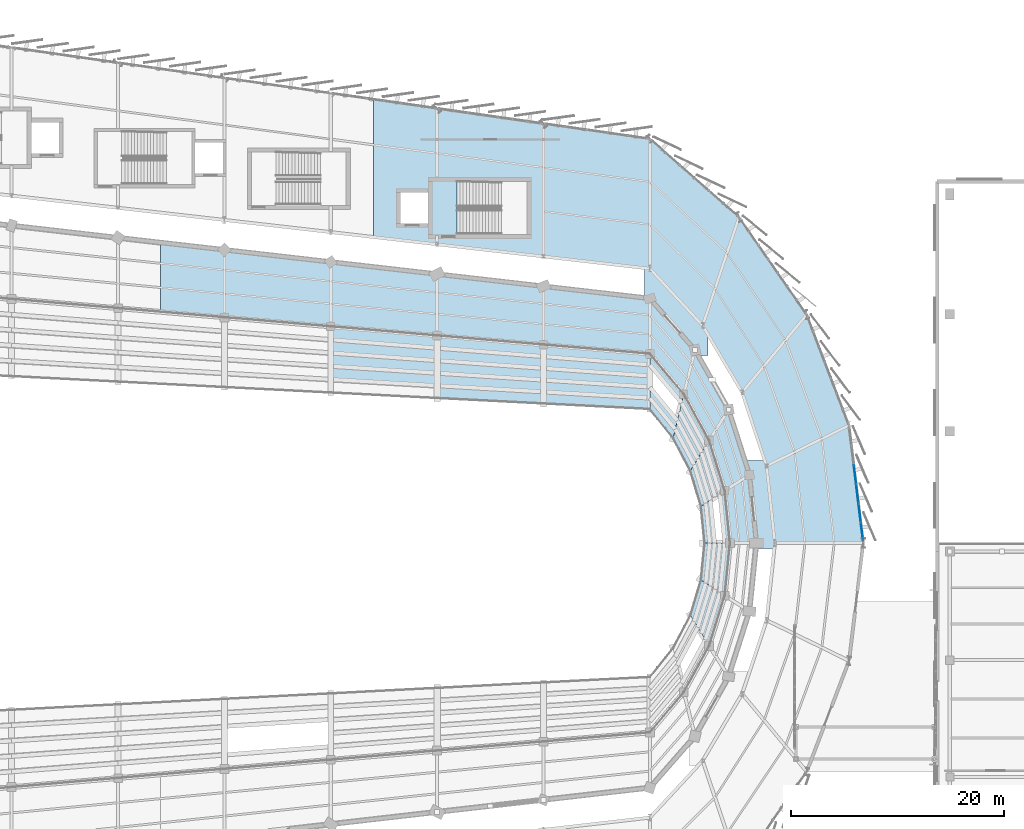
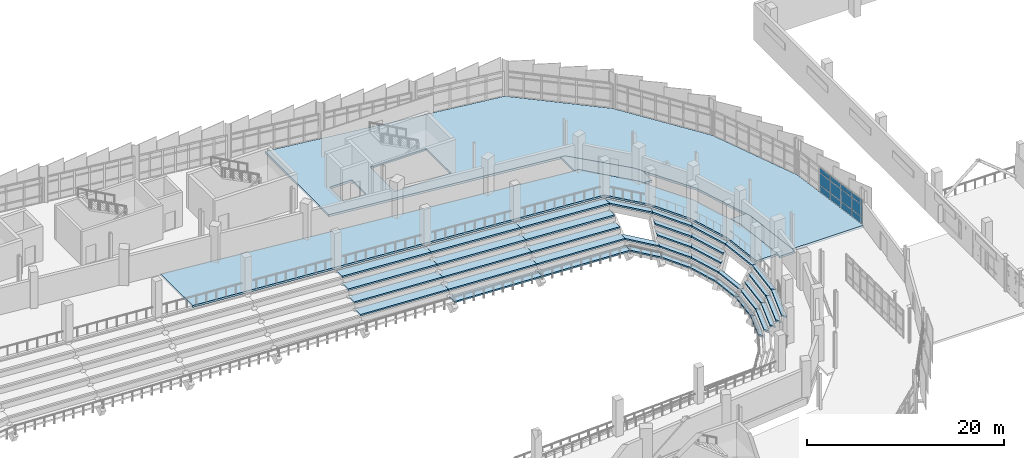
# One storey, part 100 of 134: 44 slabs, 12 plates, 1 element without a shape of its own.
"""IFC4 building model written with IfcOpenShell, lengths in metres."""

from ifc_helpers import new_model, si_unit, direction, frame, origin, origin_2d, place, context, subcontext, project, spatial, polyline, rectangle, outline, extrude, material, layer, layer_set, type_object, element, aggregate, save


model = new_model("IFC4")

# Units and contexts
model_context = context("Model", 3, precision=1e-05, world=origin(), true_north=direction((0.0, 1.0)))
body_context = subcontext(model_context, "Body", "Model", "MODEL_VIEW")
ifc_project = project(units=[si_unit("LENGTHUNIT", "METRE"), si_unit("AREAUNIT", "SQUARE_METRE"), si_unit("VOLUMEUNIT", "CUBIC_METRE"), si_unit("PLANEANGLEUNIT", "RADIAN"), si_unit("MASSUNIT", "GRAM", prefix="KILO")], contexts=[model_context])

# Site, building, storey
site_placement = place(None, origin())
site = spatial("IfcSite", under=ifc_project, at=site_placement, CompositionType="ELEMENT")
building_placement = place(site_placement, origin())
building = spatial("IfcBuilding", under=site, at=building_placement, Name="Sohan Crest Arena", CompositionType="ELEMENT")
storey_placement = place(building_placement, frame((0.0, 0.0, 4.5)))
storey = spatial("IfcBuildingStorey", under=building, at=storey_placement, Name="L01", CompositionType="ELEMENT", Elevation=4.5)

# Curtain wall, plates
ifc_material_1 = material(Name="Thermally broken anodised aluminium", Category="aluminium")
ifc_layer_1 = layer(ifc_material_1, 0.2099609375, Name="Thermally broken anodised aluminium")
ifc_layer_set_1 = layer_set([ifc_layer_1], Name="Thermally broken anodised aluminium")
curtain_wall_type = type_object("IfcCurtainWallType", Name="ARC-CW06", PredefinedType="NOTDEFINED", material=ifc_layer_set_1)
curtain_wall_placement = place(storey_placement, origin())
curtain_wall = element("IfcCurtainWall", 1, at=curtain_wall_placement, inside=storey, type_object=curtain_wall_type, Name="Unitised curtain wall CW-039", PredefinedType="NOTDEFINED")
ifc_material_2 = material(Name="Insulated polychrome ceramic spandrel panel", Category="masonry")
ifc_layer_2 = layer(ifc_material_2, 0.0419921875, Name="Insulated polychrome ceramic spandrel panel")
ifc_layer_set_2 = layer_set([ifc_layer_2], Name="Insulated polychrome ceramic spandrel panel")
plate_type = type_object("IfcPlateType", Name="ARC-CNP04", PredefinedType="CURTAIN_PANEL", material=ifc_layer_set_2)
plate_1_placement = place(storey_placement, frame((187.94873046875, 79.048583984375, 0.070068359375), z_axis=(0.0, 0.0, 1.0), x_axis=(-0.121186758784, 0.992629724266, 0.0)))
plate_1 = element("IfcPlate", 2, at=plate_1_placement, type_object=plate_type, Name="CW-039 panel 1.1", PredefinedType="CURTAIN_PANEL", context=body_context, shape_type="SweptSolid", body=[
    extrude(rectangle(XDim=1.702880859375, YDim=0.0419921875, at=origin_2d()), origin(), (0.0, 0.0, 1.0), 0.794921875),
])
plate_2_placement = place(storey_placement, frame((187.94873046875, 79.048583984375, 0.93505859375), z_axis=(0.0, 0.0, 1.0), x_axis=(-0.121186758784, 0.992629724266, 0.0)))
plate_2 = element("IfcPlate", 3, at=plate_2_placement, type_object=plate_type, Name="CW-039 panel 1.2", PredefinedType="CURTAIN_PANEL", context=body_context, shape_type="SweptSolid", body=[
    extrude(rectangle(XDim=1.702880859375, YDim=0.0419921875, at=origin_2d()), origin(), (0.0, 0.0, 1.0), 1.449951171875),
])
plate_3_placement = place(storey_placement, frame((187.94873046875, 79.048583984375, 2.455078125), z_axis=(0.0, 0.0, 1.0), x_axis=(-0.121186758784, 0.992629724266, 0.0)))
plate_3 = element("IfcPlate", 4, at=plate_3_placement, type_object=plate_type, Name="CW-039 panel 1.3", PredefinedType="CURTAIN_PANEL", context=body_context, shape_type="SweptSolid", body=[
    extrude(rectangle(XDim=1.702880859375, YDim=0.0419921875, at=origin_2d()), origin(), (0.0, 0.0, 1.0), 0.594970703125),
])
plate_4_placement = place(storey_placement, frame((187.73095703125, 80.83203125, 0.070068359375), z_axis=(0.0, 0.0, 1.0), x_axis=(-0.121186758784, 0.992629724266, 0.0)))
plate_4 = element("IfcPlate", 5, at=plate_4_placement, type_object=plate_type, Name="CW-039 panel 2.1", PredefinedType="CURTAIN_PANEL", context=body_context, shape_type="SweptSolid", body=[
    extrude(rectangle(XDim=1.740478515625, YDim=0.0419921875, at=origin_2d()), origin(), (0.0, 0.0, 1.0), 0.794921875),
])
plate_5_placement = place(storey_placement, frame((187.73095703125, 80.83203125, 0.93505859375), z_axis=(0.0, 0.0, 1.0), x_axis=(-0.121186758784, 0.992629724266, 0.0)))
plate_5 = element("IfcPlate", 6, at=plate_5_placement, type_object=plate_type, Name="CW-039 panel 2.2", PredefinedType="CURTAIN_PANEL", context=body_context, shape_type="SweptSolid", body=[
    extrude(rectangle(XDim=1.740478515625, YDim=0.0419921875, at=origin_2d()), origin(), (0.0, 0.0, 1.0), 1.449951171875),
])
plate_6_placement = place(storey_placement, frame((187.73095703125, 80.83203125, 2.455078125), z_axis=(0.0, 0.0, 1.0), x_axis=(-0.121186758784, 0.992629724266, 0.0)))
plate_6 = element("IfcPlate", 7, at=plate_6_placement, type_object=plate_type, Name="CW-039 panel 2.3", PredefinedType="CURTAIN_PANEL", context=body_context, shape_type="SweptSolid", body=[
    extrude(rectangle(XDim=1.740478515625, YDim=0.0419921875, at=origin_2d()), origin(), (0.0, 0.0, 1.0), 0.594970703125),
])
plate_7_placement = place(storey_placement, frame((187.510986328125, 82.634033203125, 0.070068359375), z_axis=(0.0, 0.0, 1.0), x_axis=(-0.121186758784, 0.992629724266, 0.0)))
plate_7 = element("IfcPlate", 8, at=plate_7_placement, type_object=plate_type, Name="CW-039 panel 3.1", PredefinedType="CURTAIN_PANEL", context=body_context, shape_type="SweptSolid", body=[
    extrude(rectangle(XDim=1.740478515625, YDim=0.0419921875, at=origin_2d()), origin(), (0.0, 0.0, 1.0), 0.794921875),
])
plate_8_placement = place(storey_placement, frame((187.510986328125, 82.634033203125, 0.93505859375), z_axis=(0.0, 0.0, 1.0), x_axis=(-0.121186758784, 0.992629724266, 0.0)))
plate_8 = element("IfcPlate", 9, at=plate_8_placement, type_object=plate_type, Name="CW-039 panel 3.2", PredefinedType="CURTAIN_PANEL", context=body_context, shape_type="SweptSolid", body=[
    extrude(rectangle(XDim=1.740478515625, YDim=0.0419921875, at=origin_2d()), origin(), (0.0, 0.0, 1.0), 1.449951171875),
])
plate_9_placement = place(storey_placement, frame((187.510986328125, 82.634033203125, 2.455078125), z_axis=(0.0, 0.0, 1.0), x_axis=(-0.121186758784, 0.992629724266, 0.0)))
plate_9 = element("IfcPlate", 10, at=plate_9_placement, type_object=plate_type, Name="CW-039 panel 3.3", PredefinedType="CURTAIN_PANEL", context=body_context, shape_type="SweptSolid", body=[
    extrude(rectangle(XDim=1.740478515625, YDim=0.0419921875, at=origin_2d()), origin(), (0.0, 0.0, 1.0), 0.594970703125),
])
plate_10_placement = place(storey_placement, frame((187.291015625, 84.43603515625, 0.070068359375), z_axis=(0.0, 0.0, 1.0), x_axis=(-0.121186758784, 0.992629724266, 0.0)))
plate_10 = element("IfcPlate", 11, at=plate_10_placement, type_object=plate_type, Name="CW-039 panel 4.1", PredefinedType="CURTAIN_PANEL", context=body_context, shape_type="SweptSolid", body=[
    extrude(rectangle(XDim=1.740478515625, YDim=0.0419921875, at=origin_2d()), origin(), (0.0, 0.0, 1.0), 0.794921875),
])
plate_11_placement = place(storey_placement, frame((187.291015625, 84.43603515625, 0.93505859375), z_axis=(0.0, 0.0, 1.0), x_axis=(-0.121186758784, 0.992629724266, 0.0)))
plate_11 = element("IfcPlate", 12, at=plate_11_placement, type_object=plate_type, Name="CW-039 panel 4.2", PredefinedType="CURTAIN_PANEL", context=body_context, shape_type="SweptSolid", body=[
    extrude(rectangle(XDim=1.740478515625, YDim=0.0419921875, at=origin_2d()), origin(), (0.0, 0.0, 1.0), 1.449951171875),
])
plate_12_placement = place(storey_placement, frame((187.291015625, 84.43603515625, 2.455078125), z_axis=(0.0, 0.0, 1.0), x_axis=(-0.121186758784, 0.992629724266, 0.0)))
plate_12 = element("IfcPlate", 13, at=plate_12_placement, type_object=plate_type, Name="CW-039 panel 4.3", PredefinedType="CURTAIN_PANEL", context=body_context, shape_type="SweptSolid", body=[
    extrude(rectangle(XDim=1.740478515625, YDim=0.0419921875, at=origin_2d()), origin(), (0.0, 0.0, 1.0), 0.594970703125),
])
aggregate(curtain_wall, [plate_1, plate_2, plate_3, plate_4, plate_5, plate_6, plate_7, plate_8, plate_9, plate_10, plate_11, plate_12])

# Slabs
ifc_material_3 = material(Name="Concrete C40/50", Category="concrete")
ifc_layer_3 = layer(ifc_material_3, 0.25, Name="Concrete C40/50")
ifc_layer_set_3 = layer_set([ifc_layer_3], Name="Concrete C40/50")
slab_type_1 = type_object("IfcSlabType", Name="SL-FLR3", PredefinedType="FLOOR", material=ifc_layer_set_3)
slab_1_placement = place(storey_placement, frame((0.0, 0.0, -0.25)))
element("IfcSlab", 14, at=slab_1_placement, inside=storey, type_object=slab_type_1, Name="Bowl vomitory ring L01 Q2 SL-L01-V1Q2", PredefinedType="FLOOR", context=body_context, shape_type="SweptSolid", body=[
    extrude(outline(polyline([(122.0, 106.257080078125), (168.0, 101.0), (172.242919921875, 96.154052734375), (175.408935546875, 90.544921875), (177.363037109375, 84.406982421875), (178.02294921875, 78.0), (175.531982421875, 78.0), (175.037109375, 82.929931640625), (173.571044921875, 87.6640625), (171.194091796875, 92.011962890625), (168.0, 95.800048828125), (122.0, 99.742919921875), (122.0, 106.257080078125)])), origin(), (0.0, 0.0, 1.0), 0.25),
])
slab_2_placement = place(storey_placement, frame((0.0, 0.0, -0.25)))
element("IfcSlab", 15, at=slab_2_placement, inside=storey, type_object=slab_type_1, Name="Seismic joint threshold slab L01 SL-TH-L01-23", PredefinedType="FLOOR", context=body_context, shape_type="SweptSolid", body=[
    extrude(outline(polyline([(178.971923828125, 85.251953125), (179.75, 78.0), (179.696044921875, 77.5), (177.970947265625, 77.5), (178.02294921875, 78.0), (177.363037109375, 84.406982421875), (176.93505859375, 85.751953125), (178.805908203125, 85.751953125), (178.971923828125, 85.251953125)])), origin(), (0.0, 0.0, 1.0), 0.25),
])
slab_3_placement = place(storey_placement, frame((0.0, 0.0, -0.25)))
element("IfcSlab", 16, at=slab_3_placement, inside=storey, type_object=slab_type_1, Name="Seismic joint threshold slab L01 SL-TH-L01-26", PredefinedType="FLOOR", context=body_context, shape_type="SweptSolid", body=[
    extrude(outline(polyline([(168.0, 103.800048828125), (172.9609375, 98.452880859375), (173.4609375, 97.60791015625), (173.4609375, 95.654052734375), (172.52490234375, 95.654052734375), (172.242919921875, 96.154052734375), (168.0, 101.0), (167.5, 101.056884765625), (167.5, 103.85693359375), (168.0, 103.800048828125)])), origin(), (0.0, 0.0, 1.0), 0.25),
])
ifc_layer_4 = layer(ifc_material_3, 0.27490234375, Name="Concrete C40/50")
ifc_layer_set_4 = layer_set([ifc_layer_4], Name="Concrete C40/50")
slab_type_2 = type_object("IfcSlabType", Name="SL-FLR4", PredefinedType="FLOOR", material=ifc_layer_set_4)
slab_4_placement = place(storey_placement, frame((0.0, 0.0, -0.27490234375)))
element("IfcSlab", 17, at=slab_4_placement, inside=storey, type_object=slab_type_2, Name="Concourse ring L01 sector 5 SL-L01-V2S5", PredefinedType="FLOOR", context=body_context, shape_type="SweptSolid", body=[
    extrude(outline(polyline([(142.0, 119.714111328125), (168.0, 116.0), (176.383056640625, 108.64501953125), (182.7490234375, 99.489013671875), (186.72509765625, 89.070068359375), (188.076904296875, 78.0), (179.75, 78.0), (178.971923828125, 85.251953125), (176.674072265625, 92.175048828125), (172.9609375, 98.452880859375), (168.0, 103.800048828125), (142.0, 106.77197265625), (142.0, 119.714111328125)]), holes=[polyline([(149.8701171875, 107.0), (156.449951171875, 107.0), (156.449951171875, 112.0), (149.8701171875, 112.0), (149.8701171875, 107.0)]), polyline([(144.550048828125, 110.949951171875), (144.550048828125, 108.050048828125), (147.14990234375, 108.050048828125), (147.14990234375, 110.949951171875), (144.550048828125, 110.949951171875)])]), origin(), (0.0, 0.0, 1.0), 0.27490234375),
])
ifc_material_4 = material(Name="Precast concrete C50/60", Category="concrete")
ifc_layer_5 = layer(ifc_material_4, 0.179931640625, Name="Precast concrete C50/60")
ifc_layer_set_5 = layer_set([ifc_layer_5], Name="Precast concrete C50/60")
slab_type_3 = type_object("IfcSlabType", Name="SL-TIER1", PredefinedType="USERDEFINED", material=ifc_layer_set_5)
slab_5_placement = place(storey_placement, frame((0.0, 0.0, -3.865966796875)))
element("IfcSlab", 18, at=slab_5_placement, inside=storey, type_object=slab_type_3, Name="Lower bowl precast seating tier ST-LOW-169", ObjectType="SEATING TIER", PredefinedType="USERDEFINED", context=body_context, shape_type="SweptSolid", body=[
    extrude(outline(polyline([(171.80908203125, 71.195068359375), (172.80810546875, 74.532958984375), (173.236083984375, 74.251953125), (172.14697265625, 70.64599609375), (171.80908203125, 71.195068359375)])), origin(), (0.0, 0.0, 1.0), 0.179931640625),
])
slab_6_placement = place(storey_placement, frame((0.0, 0.0, -3.0458984375)))
element("IfcSlab", 19, at=slab_6_placement, inside=storey, type_object=slab_type_3, Name="Lower bowl precast seating tier ST-LOW-170", ObjectType="SEATING TIER", PredefinedType="USERDEFINED", context=body_context, shape_type="SweptSolid", body=[
    extrude(outline(polyline([(172.160888671875, 70.623046875), (173.25390625, 74.239990234375), (173.681884765625, 73.9599609375), (172.5, 70.073974609375), (172.160888671875, 70.623046875)])), origin(), (0.0, 0.0, 1.0), 0.179931640625),
])
slab_7_placement = place(storey_placement, frame((0.0, 0.0, -2.22607421875)))
element("IfcSlab", 20, at=slab_7_placement, inside=storey, type_object=slab_type_3, Name="Lower bowl precast seating tier ST-LOW-171", ObjectType="SEATING TIER", PredefinedType="USERDEFINED", context=body_context, shape_type="SweptSolid", body=[
    extrude(outline(polyline([(172.513916015625, 70.051025390625), (173.699951171875, 73.947998046875), (174.1279296875, 73.6669921875), (172.85205078125, 69.501953125), (172.513916015625, 70.051025390625)])), origin(), (0.0, 0.0, 1.0), 0.18017578125),
])
slab_8_placement = place(storey_placement, frame((0.0, 0.0, -3.865966796875)))
element("IfcSlab", 21, at=slab_8_placement, inside=storey, type_object=slab_type_3, Name="Lower bowl precast seating tier ST-LOW-174", ObjectType="SEATING TIER", PredefinedType="USERDEFINED", context=body_context, shape_type="SweptSolid", body=[
    extrude(outline(polyline([(172.80810546875, 74.532958984375), (173.14501953125, 78.0), (173.60302734375, 78.0), (173.236083984375, 74.251953125), (172.80810546875, 74.532958984375)])), origin(), (0.0, 0.0, 1.0), 0.179931640625),
])
slab_9_placement = place(storey_placement, frame((0.0, 0.0, -3.0458984375)))
element("IfcSlab", 22, at=slab_9_placement, inside=storey, type_object=slab_type_3, Name="Lower bowl precast seating tier ST-LOW-175", ObjectType="SEATING TIER", PredefinedType="USERDEFINED", context=body_context, shape_type="SweptSolid", body=[
    extrude(outline(polyline([(173.25390625, 74.239990234375), (173.6220703125, 78.0), (174.0810546875, 78.0), (173.681884765625, 73.9599609375), (173.25390625, 74.239990234375)])), origin(), (0.0, 0.0, 1.0), 0.179931640625),
])
slab_10_placement = place(storey_placement, frame((0.0, 0.0, -2.22607421875)))
element("IfcSlab", 23, at=slab_10_placement, inside=storey, type_object=slab_type_3, Name="Lower bowl precast seating tier ST-LOW-176", ObjectType="SEATING TIER", PredefinedType="USERDEFINED", context=body_context, shape_type="SweptSolid", body=[
    extrude(outline(polyline([(173.699951171875, 73.947998046875), (174.10009765625, 78.0), (174.55810546875, 78.0), (174.1279296875, 73.6669921875), (173.699951171875, 73.947998046875)])), origin(), (0.0, 0.0, 1.0), 0.18017578125),
])
slab_11_placement = place(storey_placement, frame((0.0, 0.0, -3.865966796875)))
element("IfcSlab", 24, at=slab_11_placement, inside=storey, type_object=slab_type_3, Name="Lower bowl precast seating tier ST-LOW-179", ObjectType="SEATING TIER", PredefinedType="USERDEFINED", context=body_context, shape_type="SweptSolid", body=[
    extrude(outline(polyline([(173.14501953125, 78.0), (172.80810546875, 81.467041015625), (173.236083984375, 81.748046875), (173.60302734375, 78.0), (173.14501953125, 78.0)])), origin(), (0.0, 0.0, 1.0), 0.179931640625),
])
slab_12_placement = place(storey_placement, frame((0.0, 0.0, -3.0458984375)))
element("IfcSlab", 25, at=slab_12_placement, inside=storey, type_object=slab_type_3, Name="Lower bowl precast seating tier ST-LOW-180", ObjectType="SEATING TIER", PredefinedType="USERDEFINED", context=body_context, shape_type="SweptSolid", body=[
    extrude(outline(polyline([(173.6220703125, 78.0), (173.25390625, 81.760009765625), (173.681884765625, 82.0400390625), (174.0810546875, 78.0), (173.6220703125, 78.0)])), origin(), (0.0, 0.0, 1.0), 0.179931640625),
])
slab_13_placement = place(storey_placement, frame((0.0, 0.0, -3.865966796875)))
element("IfcSlab", 26, at=slab_13_placement, inside=storey, type_object=slab_type_3, Name="Lower bowl precast seating tier ST-LOW-182", ObjectType="SEATING TIER", PredefinedType="USERDEFINED", context=body_context, shape_type="SweptSolid", body=[
    extrude(outline(polyline([(172.80810546875, 81.467041015625), (171.80908203125, 84.804931640625), (172.14697265625, 85.35400390625), (173.236083984375, 81.748046875), (172.80810546875, 81.467041015625)])), origin(), (0.0, 0.0, 1.0), 0.179931640625),
])
slab_14_placement = place(storey_placement, frame((0.0, 0.0, -3.0458984375)))
element("IfcSlab", 27, at=slab_14_placement, inside=storey, type_object=slab_type_3, Name="Lower bowl precast seating tier ST-LOW-183", ObjectType="SEATING TIER", PredefinedType="USERDEFINED", context=body_context, shape_type="SweptSolid", body=[
    extrude(outline(polyline([(173.25390625, 81.760009765625), (172.160888671875, 85.376953125), (172.5, 85.926025390625), (173.681884765625, 82.0400390625), (173.25390625, 81.760009765625)])), origin(), (0.0, 0.0, 1.0), 0.179931640625),
])
slab_15_placement = place(storey_placement, frame((0.0, 0.0, -2.22607421875)))
element("IfcSlab", 28, at=slab_15_placement, inside=storey, type_object=slab_type_3, Name="Lower bowl precast seating tier ST-LOW-184", ObjectType="SEATING TIER", PredefinedType="USERDEFINED", context=body_context, shape_type="SweptSolid", body=[
    extrude(outline(polyline([(173.699951171875, 82.052001953125), (172.513916015625, 85.948974609375), (172.85205078125, 86.498046875), (174.1279296875, 82.3330078125), (173.699951171875, 82.052001953125)])), origin(), (0.0, 0.0, 1.0), 0.18017578125),
])
slab_16_placement = place(storey_placement, frame((0.0, 0.0, -3.865966796875)))
element("IfcSlab", 29, at=slab_16_placement, inside=storey, type_object=slab_type_3, Name="Lower bowl precast seating tier ST-LOW-187", ObjectType="SEATING TIER", PredefinedType="USERDEFINED", context=body_context, shape_type="SweptSolid", body=[
    extrude(outline(polyline([(171.80908203125, 84.804931640625), (170.18603515625, 87.887939453125), (170.3798828125, 88.679931640625), (172.14697265625, 85.35400390625), (171.80908203125, 84.804931640625)])), origin(), (0.0, 0.0, 1.0), 0.179931640625),
])
slab_17_placement = place(storey_placement, frame((0.0, 0.0, -3.0458984375)))
element("IfcSlab", 30, at=slab_17_placement, inside=storey, type_object=slab_type_3, Name="Lower bowl precast seating tier ST-LOW-188", ObjectType="SEATING TIER", PredefinedType="USERDEFINED", context=body_context, shape_type="SweptSolid", body=[
    extrude(outline(polyline([(172.160888671875, 85.376953125), (170.387939453125, 88.712890625), (170.5810546875, 89.5048828125), (172.5, 85.926025390625), (172.160888671875, 85.376953125)])), origin(), (0.0, 0.0, 1.0), 0.179931640625),
])
slab_18_placement = place(storey_placement, frame((0.0, 0.0, -2.22607421875)))
element("IfcSlab", 31, at=slab_18_placement, inside=storey, type_object=slab_type_3, Name="Lower bowl precast seating tier ST-LOW-189", ObjectType="SEATING TIER", PredefinedType="USERDEFINED", context=body_context, shape_type="SweptSolid", body=[
    extrude(outline(polyline([(172.513916015625, 85.948974609375), (170.589111328125, 89.5380859375), (170.782958984375, 90.3291015625), (172.85205078125, 86.498046875), (172.513916015625, 85.948974609375)])), origin(), (0.0, 0.0, 1.0), 0.18017578125),
])
slab_19_placement = place(storey_placement, frame((0.0, 0.0, -3.865966796875)))
element("IfcSlab", 32, at=slab_19_placement, inside=storey, type_object=slab_type_3, Name="Lower bowl precast seating tier ST-LOW-192", ObjectType="SEATING TIER", PredefinedType="USERDEFINED", context=body_context, shape_type="SweptSolid", body=[
    extrude(outline(polyline([(170.18603515625, 87.887939453125), (168.0, 90.60009765625), (168.0, 91.597900390625), (170.3798828125, 88.679931640625), (170.18603515625, 87.887939453125)])), origin(), (0.0, 0.0, 1.0), 0.179931640625),
])
slab_20_placement = place(storey_placement, frame((0.0, 0.0, -3.0458984375)))
element("IfcSlab", 33, at=slab_20_placement, inside=storey, type_object=slab_type_3, Name="Lower bowl precast seating tier ST-LOW-193", ObjectType="SEATING TIER", PredefinedType="USERDEFINED", context=body_context, shape_type="SweptSolid", body=[
    extrude(outline(polyline([(170.387939453125, 88.712890625), (168.0, 91.639892578125), (168.0, 92.637939453125), (170.5810546875, 89.5048828125), (170.387939453125, 88.712890625)])), origin(), (0.0, 0.0, 1.0), 0.179931640625),
])
slab_21_placement = place(storey_placement, frame((0.0, 0.0, -3.865966796875)))
element("IfcSlab", 34, at=slab_21_placement, inside=storey, type_object=slab_type_3, Name="Lower bowl precast seating tier ST-LOW-196", ObjectType="SEATING TIER", PredefinedType="USERDEFINED", context=body_context, shape_type="SweptSolid", body=[
    extrude(outline(polyline([(168.0, 90.60009765625), (158.0, 91.114013671875), (158.0, 92.177978515625), (168.0, 91.597900390625), (168.0, 90.60009765625)])), origin(), (0.0, 0.0, 1.0), 0.179931640625),
])
slab_22_placement = place(storey_placement, frame((0.0, 0.0, -3.0458984375)))
element("IfcSlab", 35, at=slab_22_placement, inside=storey, type_object=slab_type_3, Name="Lower bowl precast seating tier ST-LOW-197", ObjectType="SEATING TIER", PredefinedType="USERDEFINED", context=body_context, shape_type="SweptSolid", body=[
    extrude(outline(polyline([(168.0, 91.639892578125), (158.0, 92.222900390625), (158.0, 93.287109375), (168.0, 92.637939453125), (168.0, 91.639892578125)])), origin(), (0.0, 0.0, 1.0), 0.179931640625),
])
slab_23_placement = place(storey_placement, frame((0.0, 0.0, -2.22607421875)))
element("IfcSlab", 36, at=slab_23_placement, inside=storey, type_object=slab_type_3, Name="Lower bowl precast seating tier ST-LOW-198", ObjectType="SEATING TIER", PredefinedType="USERDEFINED", context=body_context, shape_type="SweptSolid", body=[
    extrude(outline(polyline([(168.0, 92.679931640625), (158.0, 93.3310546875), (158.0, 94.39501953125), (168.0, 93.677978515625), (168.0, 92.679931640625)])), origin(), (0.0, 0.0, 1.0), 0.18017578125),
])
slab_24_placement = place(storey_placement, frame((0.0, 0.0, -3.865966796875)))
element("IfcSlab", 37, at=slab_24_placement, inside=storey, type_object=slab_type_3, Name="Lower bowl precast seating tier ST-LOW-206", ObjectType="SEATING TIER", PredefinedType="USERDEFINED", context=body_context, shape_type="SweptSolid", body=[
    extrude(outline(polyline([(158.0, 91.114013671875), (148.0, 91.62890625), (148.0, 92.759033203125), (158.0, 92.177978515625), (158.0, 91.114013671875)])), origin(), (0.0, 0.0, 1.0), 0.179931640625),
])
slab_25_placement = place(storey_placement, frame((0.0, 0.0, -3.0458984375)))
element("IfcSlab", 38, at=slab_25_placement, inside=storey, type_object=slab_type_3, Name="Lower bowl precast seating tier ST-LOW-207", ObjectType="SEATING TIER", PredefinedType="USERDEFINED", context=body_context, shape_type="SweptSolid", body=[
    extrude(outline(polyline([(158.0, 92.222900390625), (148.0, 92.805908203125), (148.0, 93.93603515625), (158.0, 93.287109375), (158.0, 92.222900390625)])), origin(), (0.0, 0.0, 1.0), 0.179931640625),
])
slab_26_placement = place(storey_placement, frame((0.0, 0.0, -2.22607421875)))
element("IfcSlab", 39, at=slab_26_placement, inside=storey, type_object=slab_type_3, Name="Lower bowl precast seating tier ST-LOW-208", ObjectType="SEATING TIER", PredefinedType="USERDEFINED", context=body_context, shape_type="SweptSolid", body=[
    extrude(outline(polyline([(158.0, 93.3310546875), (148.0, 93.98291015625), (148.0, 95.113037109375), (158.0, 94.39501953125), (158.0, 93.3310546875)])), origin(), (0.0, 0.0, 1.0), 0.18017578125),
])
slab_27_placement = place(storey_placement, frame((0.0, 0.0, -3.0458984375)))
element("IfcSlab", 40, at=slab_27_placement, inside=storey, type_object=slab_type_3, Name="Lower bowl precast seating tier ST-LOW-217", ObjectType="SEATING TIER", PredefinedType="USERDEFINED", context=body_context, shape_type="SweptSolid", body=[
    extrude(outline(polyline([(148.0, 92.805908203125), (138.0, 93.388916015625), (138.0, 94.583984375), (148.0, 93.93603515625), (148.0, 92.805908203125)])), origin(), (0.0, 0.0, 1.0), 0.179931640625),
])
slab_28_placement = place(storey_placement, frame((0.0, 0.0, -2.22607421875)))
element("IfcSlab", 41, at=slab_28_placement, inside=storey, type_object=slab_type_3, Name="Lower bowl precast seating tier ST-LOW-218", ObjectType="SEATING TIER", PredefinedType="USERDEFINED", context=body_context, shape_type="SweptSolid", body=[
    extrude(outline(polyline([(148.0, 93.98291015625), (138.0, 94.634033203125), (138.0, 95.830078125), (148.0, 95.113037109375), (148.0, 93.98291015625)])), origin(), (0.0, 0.0, 1.0), 0.18017578125),
])
ifc_layer_6 = layer(ifc_material_4, 0.205078125, Name="Precast concrete C50/60")
ifc_layer_set_6 = layer_set([ifc_layer_6], Name="Precast concrete C50/60")
slab_type_4 = type_object("IfcSlabType", Name="SL-TIER2", PredefinedType="USERDEFINED", material=ifc_layer_set_6)
slab_29_placement = place(storey_placement, frame((0.0, 0.0, -1.406005859375)))
element("IfcSlab", 42, at=slab_29_placement, inside=storey, type_object=slab_type_4, Name="Lower bowl precast seating tier ST-LOW-172", ObjectType="SEATING TIER", PredefinedType="USERDEFINED", context=body_context, shape_type="SweptSolid", body=[
    extrude(outline(polyline([(172.865966796875, 69.47998046875), (174.14501953125, 73.655029296875), (174.572998046875, 73.3740234375), (173.205078125, 68.930908203125), (172.865966796875, 69.47998046875)])), origin(), (0.0, 0.0, 1.0), 0.205078125),
])
slab_30_placement = place(storey_placement, frame((0.0, 0.0, -0.5859375)))
element("IfcSlab", 43, at=slab_30_placement, inside=storey, type_object=slab_type_4, Name="Lower bowl precast seating tier ST-LOW-173", ObjectType="SEATING TIER", PredefinedType="USERDEFINED", context=body_context, shape_type="SweptSolid", body=[
    extrude(outline(polyline([(173.218994140625, 68.907958984375), (174.591064453125, 73.363037109375), (175.01904296875, 73.08203125), (173.556884765625, 68.35888671875), (173.218994140625, 68.907958984375)])), origin(), (0.0, 0.0, 1.0), 0.204833984375),
])
slab_31_placement = place(storey_placement, frame((0.0, 0.0, -1.406005859375)))
element("IfcSlab", 44, at=slab_31_placement, inside=storey, type_object=slab_type_4, Name="Lower bowl precast seating tier ST-LOW-177", ObjectType="SEATING TIER", PredefinedType="USERDEFINED", context=body_context, shape_type="SweptSolid", body=[
    extrude(outline(polyline([(174.14501953125, 73.655029296875), (174.576904296875, 78.0), (175.035888671875, 78.0), (174.572998046875, 73.3740234375), (174.14501953125, 73.655029296875)])), origin(), (0.0, 0.0, 1.0), 0.205078125),
])
slab_32_placement = place(storey_placement, frame((0.0, 0.0, -0.5859375)))
element("IfcSlab", 45, at=slab_32_placement, inside=storey, type_object=slab_type_4, Name="Lower bowl precast seating tier ST-LOW-178", ObjectType="SEATING TIER", PredefinedType="USERDEFINED", context=body_context, shape_type="SweptSolid", body=[
    extrude(outline(polyline([(174.591064453125, 73.363037109375), (175.054931640625, 78.0), (175.512939453125, 78.0), (175.01904296875, 73.08203125), (174.591064453125, 73.363037109375)])), origin(), (0.0, 0.0, 1.0), 0.204833984375),
])
slab_33_placement = place(storey_placement, frame((0.0, 0.0, -0.5859375)))
element("IfcSlab", 46, at=slab_33_placement, inside=storey, type_object=slab_type_4, Name="Lower bowl precast seating tier ST-LOW-181", ObjectType="SEATING TIER", PredefinedType="USERDEFINED", context=body_context, shape_type="SweptSolid", body=[
    extrude(outline(polyline([(175.054931640625, 78.0), (174.591064453125, 82.636962890625), (175.01904296875, 82.91796875), (175.512939453125, 78.0), (175.054931640625, 78.0)])), origin(), (0.0, 0.0, 1.0), 0.204833984375),
])
slab_34_placement = place(storey_placement, frame((0.0, 0.0, -1.406005859375)))
element("IfcSlab", 47, at=slab_34_placement, inside=storey, type_object=slab_type_4, Name="Lower bowl precast seating tier ST-LOW-185", ObjectType="SEATING TIER", PredefinedType="USERDEFINED", context=body_context, shape_type="SweptSolid", body=[
    extrude(outline(polyline([(174.14501953125, 82.344970703125), (172.865966796875, 86.52001953125), (173.205078125, 87.069091796875), (174.572998046875, 82.6259765625), (174.14501953125, 82.344970703125)])), origin(), (0.0, 0.0, 1.0), 0.205078125),
])
slab_35_placement = place(storey_placement, frame((0.0, 0.0, -0.5859375)))
element("IfcSlab", 48, at=slab_35_placement, inside=storey, type_object=slab_type_4, Name="Lower bowl precast seating tier ST-LOW-186", ObjectType="SEATING TIER", PredefinedType="USERDEFINED", context=body_context, shape_type="SweptSolid", body=[
    extrude(outline(polyline([(174.591064453125, 82.636962890625), (173.218994140625, 87.092041015625), (173.556884765625, 87.64111328125), (175.01904296875, 82.91796875), (174.591064453125, 82.636962890625)])), origin(), (0.0, 0.0, 1.0), 0.204833984375),
])
slab_36_placement = place(storey_placement, frame((0.0, 0.0, -1.406005859375)))
element("IfcSlab", 49, at=slab_36_placement, inside=storey, type_object=slab_type_4, Name="Lower bowl precast seating tier ST-LOW-190", ObjectType="SEATING TIER", PredefinedType="USERDEFINED", context=body_context, shape_type="SweptSolid", body=[
    extrude(outline(polyline([(172.865966796875, 86.52001953125), (170.791015625, 90.362060546875), (170.98388671875, 91.154052734375), (173.205078125, 87.069091796875), (172.865966796875, 86.52001953125)])), origin(), (0.0, 0.0, 1.0), 0.205078125),
])
slab_37_placement = place(storey_placement, frame((0.0, 0.0, -0.5859375)))
element("IfcSlab", 50, at=slab_37_placement, inside=storey, type_object=slab_type_4, Name="Lower bowl precast seating tier ST-LOW-191", ObjectType="SEATING TIER", PredefinedType="USERDEFINED", context=body_context, shape_type="SweptSolid", body=[
    extrude(outline(polyline([(173.218994140625, 87.092041015625), (170.991943359375, 91.18701171875), (171.18603515625, 91.97900390625), (173.556884765625, 87.64111328125), (173.218994140625, 87.092041015625)])), origin(), (0.0, 0.0, 1.0), 0.204833984375),
])
slab_38_placement = place(storey_placement, frame((0.0, 0.0, -0.5859375)))
element("IfcSlab", 51, at=slab_38_placement, inside=storey, type_object=slab_type_4, Name="Lower bowl precast seating tier ST-LOW-194", ObjectType="SEATING TIER", PredefinedType="USERDEFINED", context=body_context, shape_type="SweptSolid", body=[
    extrude(outline(polyline([(170.991943359375, 91.18701171875), (168.0, 94.760009765625), (168.0, 95.758056640625), (171.18603515625, 91.97900390625), (170.991943359375, 91.18701171875)])), origin(), (0.0, 0.0, 1.0), 0.204833984375),
])
slab_39_placement = place(storey_placement, frame((0.0, 0.0, -1.406005859375)))
element("IfcSlab", 52, at=slab_39_placement, inside=storey, type_object=slab_type_4, Name="Lower bowl precast seating tier ST-LOW-199", ObjectType="SEATING TIER", PredefinedType="USERDEFINED", context=body_context, shape_type="SweptSolid", body=[
    extrude(outline(polyline([(168.0, 93.719970703125), (158.0, 94.43994140625), (158.0, 95.50390625), (168.0, 94.718017578125), (168.0, 93.719970703125)])), origin(), (0.0, 0.0, 1.0), 0.205078125),
])
slab_40_placement = place(storey_placement, frame((0.0, 0.0, -0.5859375)))
element("IfcSlab", 53, at=slab_40_placement, inside=storey, type_object=slab_type_4, Name="Lower bowl precast seating tier ST-LOW-200", ObjectType="SEATING TIER", PredefinedType="USERDEFINED", context=body_context, shape_type="SweptSolid", body=[
    extrude(outline(polyline([(168.0, 94.760009765625), (158.0, 95.548095703125), (158.0, 96.613037109375), (168.0, 95.758056640625), (168.0, 94.760009765625)])), origin(), (0.0, 0.0, 1.0), 0.204833984375),
])
slab_41_placement = place(storey_placement, frame((0.0, 0.0, -1.406005859375)))
element("IfcSlab", 54, at=slab_41_placement, inside=storey, type_object=slab_type_4, Name="Lower bowl precast seating tier ST-LOW-209", ObjectType="SEATING TIER", PredefinedType="USERDEFINED", context=body_context, shape_type="SweptSolid", body=[
    extrude(outline(polyline([(158.0, 94.43994140625), (148.0, 95.159912109375), (148.0, 96.2900390625), (158.0, 95.50390625), (158.0, 94.43994140625)])), origin(), (0.0, 0.0, 1.0), 0.205078125),
])
slab_42_placement = place(storey_placement, frame((0.0, 0.0, -0.5859375)))
element("IfcSlab", 55, at=slab_42_placement, inside=storey, type_object=slab_type_4, Name="Lower bowl precast seating tier ST-LOW-210", ObjectType="SEATING TIER", PredefinedType="USERDEFINED", context=body_context, shape_type="SweptSolid", body=[
    extrude(outline(polyline([(158.0, 95.548095703125), (148.0, 96.3369140625), (148.0, 97.467041015625), (158.0, 96.613037109375), (158.0, 95.548095703125)])), origin(), (0.0, 0.0, 1.0), 0.204833984375),
])
slab_43_placement = place(storey_placement, frame((0.0, 0.0, -1.406005859375)))
element("IfcSlab", 56, at=slab_43_placement, inside=storey, type_object=slab_type_4, Name="Lower bowl precast seating tier ST-LOW-219", ObjectType="SEATING TIER", PredefinedType="USERDEFINED", context=body_context, shape_type="SweptSolid", body=[
    extrude(outline(polyline([(148.0, 95.159912109375), (138.0, 95.8798828125), (138.0, 97.075927734375), (148.0, 96.2900390625), (148.0, 95.159912109375)])), origin(), (0.0, 0.0, 1.0), 0.205078125),
])
slab_44_placement = place(storey_placement, frame((0.0, 0.0, -0.5859375)))
element("IfcSlab", 57, at=slab_44_placement, inside=storey, type_object=slab_type_4, Name="Lower bowl precast seating tier ST-LOW-220", ObjectType="SEATING TIER", PredefinedType="USERDEFINED", context=body_context, shape_type="SweptSolid", body=[
    extrude(outline(polyline([(148.0, 96.3369140625), (138.0, 97.125), (138.0, 98.321044921875), (148.0, 97.467041015625), (148.0, 96.3369140625)])), origin(), (0.0, 0.0, 1.0), 0.204833984375),
])

save(model, "model.ifc")
